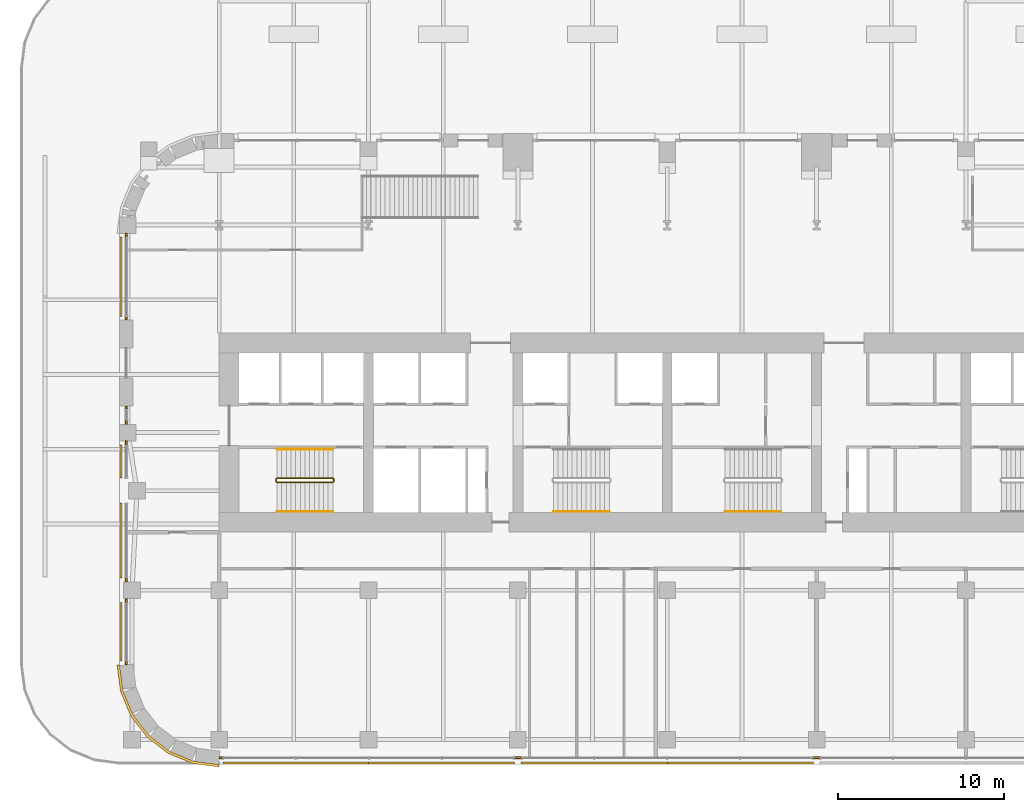
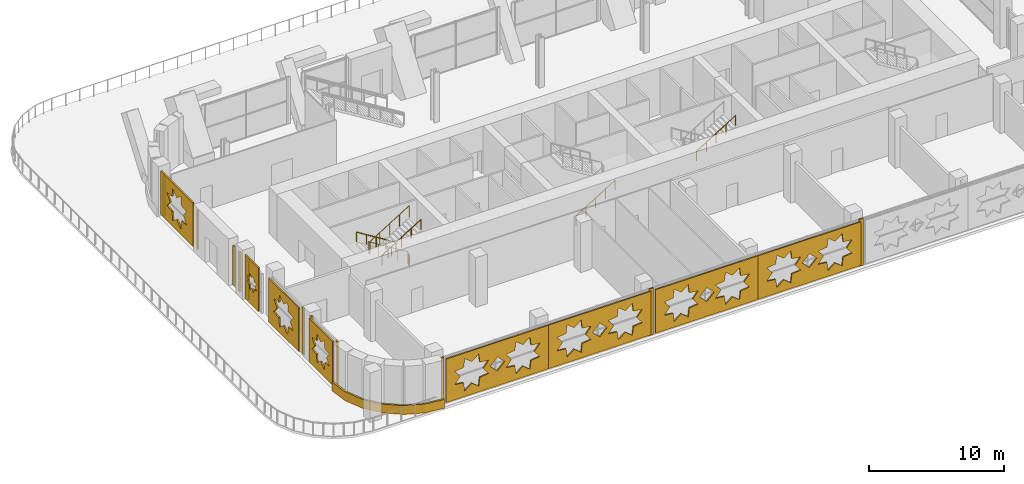
# One storey, part 18 of 26: 20 coverings, 5 railings.
"""IFC4 building model written with IfcOpenShell, lengths in metres."""

from ifc_helpers import new_model, si_unit, direction, frame, origin, origin_2d, place, context, subcontext, project, spatial, polyline, rectangle, circle, outline, extrude, material, layer, layer_set, type_object, element, save


model = new_model("IFC4")

# Units and contexts
model_context = context("Model", 3, precision=1e-05, world=origin(), true_north=direction((0.0, 1.0)))
body_context = subcontext(model_context, "Body", "Model", "MODEL_VIEW")
ifc_project = project(units=[si_unit("LENGTHUNIT", "METRE"), si_unit("AREAUNIT", "SQUARE_METRE"), si_unit("VOLUMEUNIT", "CUBIC_METRE"), si_unit("PLANEANGLEUNIT", "RADIAN"), si_unit("MASSUNIT", "GRAM", prefix="KILO")], contexts=[model_context])

# Site, building, storey
site_placement = place(None, origin())
site = spatial("IfcSite", under=ifc_project, at=site_placement, CompositionType="ELEMENT")
building_placement = place(site_placement, origin())
building = spatial("IfcBuilding", under=site, at=building_placement, Name="Zellij Exchange Tower", CompositionType="ELEMENT")
storey_placement = place(building_placement, frame((0.0, 0.0, 39.0)))
storey = spatial("IfcBuildingStorey", under=building, at=storey_placement, Name="L06", CompositionType="ELEMENT", Elevation=39.0)

# Railings
ifc_material_1 = material(Name="Stainless steel", Category="steel")
railing_type_1 = type_object("IfcRailingType", Name="CORE-RG stair guard", PredefinedType="GUARDRAIL", material=ifc_material_1)
railing_1_placement = place(storey_placement, frame((-20.10009765625, -10.800048828125, 0.0)))
element("IfcRailing", 1, at=railing_1_placement, inside=storey, type_object=railing_type_1, Name="ST1 stair guard L06", PredefinedType="GUARDRAIL", context=body_context, shape_type="SweptSolid", body=[
    extrude(circle(Radius=0.02392578125, at=origin_2d()), frame((0.0, 0.0, 1.076171875), z_axis=(0.0, -1.0, 0.0), x_axis=(1.0, 0.0, 0.0)), (0.0, 0.0, 1.0), 0.14990234375),
    extrude(circle(Radius=0.02392578125, at=origin_2d()), frame((0.0, -0.14990234375, 1.076171875), z_axis=(-0.185068141132, 0.742994154839, 0.643202510111), x_axis=(-0.970351222016, -0.241699205484, 0.0)), (0.0, 0.0, 1.0), 0.26904296875),
    extrude(circle(Radius=0.02392578125, at=origin_2d()), frame((-0.0498046875, 0.050048828125, 1.2490234375), z_axis=(-0.850623216509, 0.0, 0.525775754039), x_axis=(0.0, -1.0, 0.0)), (0.0, 0.0, 1.0), 3.9501953125),
    extrude(circle(Radius=0.02392578125, at=origin_2d()), frame((-3.409912109375, 0.050048828125, 3.326171875), z_axis=(-0.707106781187, -0.707106781187, 0.0), x_axis=(0.707106781187, -0.707106781187, 0.0)), (0.0, 0.0, 1.0), 0.07080078125),
    extrude(circle(Radius=0.02392578125, at=origin_2d()), frame((-3.4599609375, 0.0, 3.326171875), z_axis=(0.0, -1.0, 0.0), x_axis=(1.0, 0.0, 0.0)), (0.0, 0.0, 1.0), 0.14990234375),
    extrude(circle(Radius=0.02392578125, at=origin_2d()), frame((-3.4599609375, -0.14990234375, 3.326171875), z_axis=(0.267629722418, -0.267629722418, 0.925607186314), x_axis=(0.707106781187, 0.707106781187, 0.0)), (0.0, 0.0, 1.0), 0.18701171875),
    extrude(circle(Radius=0.02392578125, at=origin_2d()), frame((-3.409912109375, -0.199951171875, 3.4990234375), z_axis=(0.850623216509, 0.0, 0.525775754039), x_axis=(0.0, 1.0, 0.0)), (0.0, 0.0, 1.0), 3.9501953125),
    extrude(circle(Radius=0.02099609375, at=origin_2d()), origin(), (0.0, 0.0, 1.0), 1.052001953125),
    extrude(circle(Radius=0.02099609375, at=origin_2d()), frame((0.0, -0.14990234375, 0.0)), (0.0, 0.0, 1.0), 1.052001953125),
    extrude(circle(Radius=0.02099609375, at=origin_2d()), frame((-0.0498046875, 0.050048828125, 0.173095703125)), (0.0, 0.0, 1.0), 1.052001953125),
    extrude(circle(Radius=0.02099609375, at=origin_2d()), frame((-0.889892578125, 0.050048828125, 0.6923828125)), (0.0, 0.0, 1.0), 1.052001953125),
    extrude(circle(Radius=0.02099609375, at=origin_2d()), frame((-1.72998046875, 0.050048828125, 1.21142578125)), (0.0, 0.0, 1.0), 1.052001953125),
    extrude(circle(Radius=0.02099609375, at=origin_2d()), frame((-2.56982421875, 0.050048828125, 1.730712890625)), (0.0, 0.0, 1.0), 1.052001953125),
    extrude(circle(Radius=0.02099609375, at=origin_2d()), frame((-3.409912109375, 0.050048828125, 2.25)), (0.0, 0.0, 1.0), 1.052001953125),
    extrude(circle(Radius=0.02099609375, at=origin_2d()), frame((-3.4599609375, 0.0, 2.25)), (0.0, 0.0, 1.0), 1.052001953125),
    extrude(circle(Radius=0.02099609375, at=origin_2d()), frame((-3.4599609375, -0.14990234375, 2.25)), (0.0, 0.0, 1.0), 1.052001953125),
    extrude(circle(Radius=0.02099609375, at=origin_2d()), frame((-3.409912109375, -0.199951171875, 2.423095703125)), (0.0, 0.0, 1.0), 1.052001953125),
    extrude(circle(Radius=0.02099609375, at=origin_2d()), frame((-2.56982421875, -0.199951171875, 2.9423828125)), (0.0, 0.0, 1.0), 1.052001953125),
    extrude(circle(Radius=0.02099609375, at=origin_2d()), frame((-1.72998046875, -0.199951171875, 3.46142578125)), (0.0, 0.0, 1.0), 1.052001953125),
    extrude(circle(Radius=0.02099609375, at=origin_2d()), frame((-0.889892578125, -0.199951171875, 3.980712890625)), (0.0, 0.0, 1.0), 1.052001953125),
    extrude(circle(Radius=0.02099609375, at=origin_2d()), frame((-0.0498046875, -0.199951171875, 4.5)), (0.0, 0.0, 1.0), 1.052001953125),
])
railing_type_2 = type_object("IfcRailingType", Name="CORE-RH stair handrail", PredefinedType="HANDRAIL", material=ifc_material_1)
railing_2_placement = place(storey_placement, frame((-20.14990234375, -9.0, 0.173095703125)))
element("IfcRailing", 2, at=railing_2_placement, inside=storey, type_object=railing_type_2, Name="ST1 stair handrail L06", PredefinedType="HANDRAIL", context=body_context, shape_type="SweptSolid", body=[
    extrude(circle(Radius=0.02392578125, at=origin_2d()), frame((0.0, 0.0, 0.8759765625), z_axis=(-0.850623216509, 0.0, 0.525775754039), x_axis=(0.0, -1.0, 0.0)), (0.0, 0.0, 1.0), 3.9501953125),
    extrude(circle(Radius=0.02099609375, at=origin_2d()), origin(), (0.0, 0.0, 1.0), 0.851806640625),
    extrude(circle(Radius=0.02099609375, at=origin_2d()), frame((-0.840087890625, 0.0, 0.519287109375)), (0.0, 0.0, 1.0), 0.851806640625),
    extrude(circle(Radius=0.02099609375, at=origin_2d()), frame((-1.68017578125, 0.0, 1.03857421875)), (0.0, 0.0, 1.0), 0.851806640625),
    extrude(circle(Radius=0.02099609375, at=origin_2d()), frame((-2.52001953125, 0.0, 1.5576171875)), (0.0, 0.0, 1.0), 0.851806640625),
    extrude(circle(Radius=0.02099609375, at=origin_2d()), frame((-3.360107421875, 0.0, 2.076904296875)), (0.0, 0.0, 1.0), 0.851806640625),
])
for number, where, name in (
    (3, (-23.510009765625, -12.75, 2.423095703125), "ST1 stair handrail L06"),
    (4, (-6.85009765625, -12.75, 0.173095703125), "ST2 stair handrail L06"),
    (5, (3.489990234375, -12.75, 2.423095703125), "ST3 stair handrail L06"),
):
    element("IfcRailing", number, at=place(storey_placement, frame(where)), inside=storey, type_object=railing_type_2, Name=name, PredefinedType="HANDRAIL", context=body_context, shape_type="SweptSolid", body=[
        extrude(circle(Radius=0.02392578125, at=origin_2d()), frame((0.0, 0.0, 0.8759765625), z_axis=(0.850623216509, 0.0, 0.525775754039), x_axis=(0.0, 1.0, 0.0)), (0.0, 0.0, 1.0), 3.9501953125),
        extrude(circle(Radius=0.02099609375, at=origin_2d()), origin(), (0.0, 0.0, 1.0), 0.851806640625),
        extrude(circle(Radius=0.02099609375, at=origin_2d()), frame((0.840087890625, 0.0, 0.519287109375)), (0.0, 0.0, 1.0), 0.851806640625),
        extrude(circle(Radius=0.02099609375, at=origin_2d()), frame((1.68017578125, 0.0, 1.03857421875)), (0.0, 0.0, 1.0), 0.851806640625),
        extrude(circle(Radius=0.02099609375, at=origin_2d()), frame((2.52001953125, 0.0, 1.5576171875)), (0.0, 0.0, 1.0), 0.851806640625),
        extrude(circle(Radius=0.02099609375, at=origin_2d()), frame((3.360107421875, 0.0, 2.076904296875)), (0.0, 0.0, 1.0), 0.851806640625),
    ])

# Coverings
ifc_material_2 = material(Name="Limestone cladding", Category="masonry")
ifc_layer_1 = layer(ifc_material_2, 0.14990234375)
ifc_layer_set_1 = layer_set([ifc_layer_1], Name="Limestone cladding")
covering_type_1 = type_object("IfcCoveringType", Name="ENV-CV1 Stone spandrel band 150", PredefinedType="CLADDING", material=ifc_layer_set_1)
covering_1_placement = place(storey_placement, origin())
element("IfcCovering", 6, at=covering_1_placement, inside=storey, type_object=covering_type_1, Name="Stone spandrel band", PredefinedType="CLADDING", context=body_context, shape_type="SweptSolid", body=[
    extrude(outline(polyline([(-33.0, -22.0), (-32.795654296875, -23.552978515625), (-32.1962890625, -25.0), (-31.24267578125, -26.24267578125), (-30.0, -27.1962890625), (-28.552978515625, -27.795654296875), (-27.0, -28.0), (-27.009765625, -28.14990234375), (-28.592041015625, -27.941650390625), (-30.07568359375, -27.3271484375), (-31.349609375, -26.349609375), (-32.3271484375, -25.07568359375), (-32.941650390625, -23.592041015625), (-33.14990234375, -22.009765625), (-33.0, -22.0)])), origin(), (0.0, 0.0, 1.0), 0.800048828125),
])
ifc_layer_2 = layer(ifc_material_2, 0.1201171875)
ifc_layer_set_2 = layer_set([ifc_layer_2], Name="Limestone cladding")
covering_type_2 = type_object("IfcCoveringType", Name="ENV-CV18 Glazing closer 120", PredefinedType="CLADDING", material=ifc_layer_set_2)
for number, where, z_axis, x_axis, name in (
    (7, (9.0, -27.60009765625, 0.0), (0.0, 0.0, 1.0), (1.0, 0.0, 0.0), "Glazing closer"),
    (8, (-9.0, -27.60009765625, 0.0), (0.0, 0.0, 1.0), (1.0, 0.0, 0.0), "Glazing closer"),
):
    element("IfcCovering", number, at=place(storey_placement, frame(where, z_axis=z_axis, x_axis=x_axis)), inside=storey, type_object=covering_type_2, Name=name, PredefinedType="CLADDING", context=body_context, shape_type="SweptSolid", body=[
        extrude(rectangle(XDim=0.39990234375, YDim=0.1201171875, at=origin_2d()), origin(), (0.0, 0.0, 1.0), 4.25),
    ])
for number, where, z_axis, x_axis, name in (
    (9, (-32.60009765625, -7.375, 0.0), (0.0, 0.0, 1.0), (0.0, -1.0, 0.0), "Glazing closer"),
    (10, (-32.60009765625, -8.625, 0.0), (0.0, 0.0, 1.0), (0.0, 1.0, 0.0), "Glazing closer"),
):
    element("IfcCovering", number, at=place(storey_placement, frame(where, z_axis=z_axis, x_axis=x_axis)), inside=storey, type_object=covering_type_2, Name=name, PredefinedType="CLADDING", context=body_context, shape_type="SweptSolid", body=[
        extrude(rectangle(XDim=0.25, YDim=0.1201171875, at=origin_2d()), origin(), (0.0, 0.0, 1.0), 3.561767578125),
    ])
for number, where, z_axis, x_axis, name in (
    (11, (-32.60009765625, -16.875, 0.0), (0.0, 0.0, 1.0), (0.0, -1.0, 0.0), "Glazing closer"),
    (12, (-32.60009765625, -18.125, 0.0), (0.0, 0.0, 1.0), (0.0, 1.0, 0.0), "Glazing closer"),
):
    element("IfcCovering", number, at=place(storey_placement, frame(where, z_axis=z_axis, x_axis=x_axis)), inside=storey, type_object=covering_type_2, Name=name, PredefinedType="CLADDING", context=body_context, shape_type="SweptSolid", body=[
        extrude(rectangle(XDim=0.25, YDim=0.1201171875, at=origin_2d()), origin(), (0.0, 0.0, 1.0), 4.25),
    ])
covering_2_placement = place(storey_placement, frame((-32.60009765625, 3.886962890625, 0.0), z_axis=(0.0, 0.0, 1.0), x_axis=(0.0, 1.0, 0.0)))
element("IfcCovering", 13, at=covering_2_placement, inside=storey, type_object=covering_type_2, Name="Glazing closer", PredefinedType="CLADDING", context=body_context, shape_type="SweptSolid", body=[
    extrude(rectangle(XDim=0.226318359375, YDim=0.1201171875, at=origin_2d()), origin(), (0.0, 0.0, 1.0), 3.561767578125),
])
for number, where, z_axis, x_axis, name in (
    (14, (-26.883056640625, -27.60009765625, 0.0), (0.0, 0.0, 1.0), (-1.0, 0.0, 0.0), "Glazing closer"),
    (15, (-32.60009765625, -21.883056640625, 0.0), (0.0, 0.0, 1.0), (0.0, -1.0, 0.0), "Glazing closer"),
):
    element("IfcCovering", number, at=place(storey_placement, frame(where, z_axis=z_axis, x_axis=x_axis)), inside=storey, type_object=covering_type_2, Name=name, PredefinedType="CLADDING", context=body_context, shape_type="SweptSolid", body=[
        extrude(rectangle(XDim=0.218505859375, YDim=0.1201171875, at=origin_2d()), origin(), (0.0, 0.0, 1.0), 4.25),
    ])
for number, where, z_axis, x_axis, name in (
    (16, (-32.60009765625, -1.11572265625, 0.0), (0.0, 0.0, 1.0), (0.0, -1.0, 0.0), "Glazing closer"),
    (17, (-32.60009765625, -6.505126953125, 0.0), (0.0, 0.0, 1.0), (0.0, 1.0, 0.0), "Glazing closer"),
):
    element("IfcCovering", number, at=place(storey_placement, frame(where, z_axis=z_axis, x_axis=x_axis)), inside=storey, type_object=covering_type_2, Name=name, PredefinedType="CLADDING", context=body_context, shape_type="SweptSolid", body=[
        extrude(rectangle(XDim=0.199951171875, YDim=0.1201171875, at=origin_2d()), origin(), (0.0, 0.0, 1.0), 3.561767578125),
    ])
ifc_material_3 = material(Name="Limestone screen", Category="masonry")
ifc_layer_3 = layer(ifc_material_3, 0.1201171875)
ifc_layer_set_3 = layer_set([ifc_layer_3], Name="Limestone screen")
covering_type_3 = type_object("IfcCoveringType", Name="ENV-SC1 Pierced stone screen 120", PredefinedType="USERDEFINED", material=ifc_layer_set_3)
covering_3_placement = place(storey_placement, frame((-26.773681640625, -27.89990234375, 0.300048828125), z_axis=(0.0, 0.0, 1.0), x_axis=(1.0, 0.0, 0.0)))
element("IfcCovering", 18, at=covering_3_placement, inside=storey, type_object=covering_type_3, Name="Pierced stone screen", ObjectType="SCREEN", PredefinedType="USERDEFINED", context=body_context, shape_type="SweptSolid", body=[
    extrude(outline(polyline([(0.0, 0.0), (8.786865234375, 0.0), (8.786865234375, 3.949951171875), (0.0, 3.949951171875), (0.0, 0.0)]), holes=[polyline([(3.656494140625, 2.57958984375), (2.889404296875, 2.667724609375), (2.801513671875, 3.434814453125), (2.19677734375, 2.95458984375), (1.592041015625, 3.434814453125), (1.50390625, 2.667724609375), (0.737060546875, 2.57958984375), (1.217041015625, 1.97509765625), (0.737060546875, 1.370361328125), (1.50390625, 1.2822265625), (1.592041015625, 0.515380859375), (2.19677734375, 0.995361328125), (2.801513671875, 0.515380859375), (2.889404296875, 1.2822265625), (3.656494140625, 1.370361328125), (3.17626953125, 1.97509765625), (3.656494140625, 2.57958984375)]), polyline([(8.0498046875, 2.57958984375), (7.282958984375, 2.667724609375), (7.19482421875, 3.434814453125), (6.590087890625, 2.95458984375), (5.985595703125, 3.434814453125), (5.8974609375, 2.667724609375), (5.13037109375, 2.57958984375), (5.610595703125, 1.97509765625), (5.13037109375, 1.370361328125), (5.8974609375, 1.2822265625), (5.985595703125, 0.515380859375), (6.590087890625, 0.995361328125), (7.19482421875, 0.515380859375), (7.282958984375, 1.2822265625), (8.0498046875, 1.370361328125), (7.56982421875, 1.97509765625), (8.0498046875, 2.57958984375)]), polyline([(5.025390625, 1.97509765625), (4.393310546875, 2.60693359375), (3.761474609375, 1.97509765625), (4.393310546875, 1.343017578125), (5.025390625, 1.97509765625)])]), frame((0.0, 0.06005859375, 0.0), z_axis=(0.0, -1.0, 0.0), x_axis=(1.0, 0.0, 0.0)), (0.0, 0.0, 1.0), 0.1201171875),
])
covering_4_placement = place(storey_placement, frame((-17.98681640625, -27.89990234375, 0.300048828125), z_axis=(0.0, 0.0, 1.0), x_axis=(1.0, 0.0, 0.0)))
element("IfcCovering", 19, at=covering_4_placement, inside=storey, type_object=covering_type_3, Name="Pierced stone screen", ObjectType="SCREEN", PredefinedType="USERDEFINED", context=body_context, shape_type="SweptSolid", body=[
    extrude(outline(polyline([(0.0, 0.0), (8.786865234375, 0.0), (8.786865234375, 3.949951171875), (0.0, 3.949951171875), (0.0, 0.0)]), holes=[polyline([(3.656494140625, 2.57958984375), (2.889404296875, 2.667724609375), (2.801513671875, 3.434814453125), (2.19677734375, 2.95458984375), (1.592041015625, 3.434814453125), (1.50390625, 2.667724609375), (0.737060546875, 2.57958984375), (1.217041015625, 1.97509765625), (0.737060546875, 1.370361328125), (1.50390625, 1.2822265625), (1.592041015625, 0.515380859375), (2.19677734375, 0.995361328125), (2.801513671875, 0.515380859375), (2.889404296875, 1.2822265625), (3.656494140625, 1.370361328125), (3.17626953125, 1.97509765625), (3.656494140625, 2.57958984375)]), polyline([(8.0498046875, 2.57958984375), (7.282958984375, 2.667724609375), (7.19482421875, 3.434814453125), (6.590087890625, 2.95458984375), (5.985595703125, 3.434814453125), (5.8974609375, 2.667724609375), (5.13037109375, 2.57958984375), (5.610595703125, 1.97509765625), (5.13037109375, 1.370361328125), (5.8974609375, 1.2822265625), (5.985595703125, 0.515380859375), (6.590087890625, 0.995361328125), (7.19482421875, 0.515380859375), (7.282958984375, 1.2822265625), (8.0498046875, 1.370361328125), (7.56982421875, 1.97509765625), (8.0498046875, 2.57958984375)]), polyline([(5.025390625, 1.97509765625), (4.3935546875, 2.60693359375), (3.761474609375, 1.97509765625), (4.3935546875, 1.343017578125), (5.025390625, 1.97509765625)])]), frame((0.0, 0.06005859375, 0.0), z_axis=(0.0, -1.0, 0.0), x_axis=(1.0, 0.0, 0.0)), (0.0, 0.0, 1.0), 0.1201171875),
])
for number, where, z_axis, x_axis, name in (
    (20, (-8.800048828125, -27.89990234375, 0.300048828125), (0.0, 0.0, 1.0), (1.0, 0.0, 0.0), "Pierced stone screen"),
    (21, (0.0, -27.89990234375, 0.300048828125), (0.0, 0.0, 1.0), (1.0, 0.0, 0.0), "Pierced stone screen"),
):
    element("IfcCovering", number, at=place(storey_placement, frame(where, z_axis=z_axis, x_axis=x_axis)), inside=storey, type_object=covering_type_3, Name=name, ObjectType="SCREEN", PredefinedType="USERDEFINED", context=body_context, shape_type="SweptSolid", body=[
        extrude(outline(polyline([(0.0, 0.0), (8.800048828125, 0.0), (8.800048828125, 3.949951171875), (0.0, 3.949951171875), (0.0, 0.0)]), holes=[polyline([(3.65966796875, 2.57958984375), (2.892578125, 2.667724609375), (2.8046875, 3.434814453125), (2.199951171875, 2.95458984375), (1.595458984375, 3.434814453125), (1.50732421875, 2.667724609375), (0.740234375, 2.57958984375), (1.220458984375, 1.97509765625), (0.740234375, 1.370361328125), (1.50732421875, 1.2822265625), (1.595458984375, 0.515380859375), (2.199951171875, 0.995361328125), (2.8046875, 0.515380859375), (2.892578125, 1.2822265625), (3.65966796875, 1.370361328125), (3.1796875, 1.97509765625), (3.65966796875, 2.57958984375)]), polyline([(8.059814453125, 2.57958984375), (7.292724609375, 2.667724609375), (7.20458984375, 3.434814453125), (6.60009765625, 2.95458984375), (5.995361328125, 3.434814453125), (5.9072265625, 2.667724609375), (5.140380859375, 2.57958984375), (5.620361328125, 1.97509765625), (5.140380859375, 1.370361328125), (5.9072265625, 1.2822265625), (5.995361328125, 0.515380859375), (6.60009765625, 0.995361328125), (7.20458984375, 0.515380859375), (7.292724609375, 1.2822265625), (8.059814453125, 1.370361328125), (7.57958984375, 1.97509765625), (8.059814453125, 2.57958984375)]), polyline([(5.031982421875, 1.97509765625), (4.39990234375, 2.60693359375), (3.76806640625, 1.97509765625), (4.39990234375, 1.343017578125), (5.031982421875, 1.97509765625)])]), frame((0.0, 0.06005859375, 0.0), z_axis=(0.0, -1.0, 0.0), x_axis=(1.0, 0.0, 0.0)), (0.0, 0.0, 1.0), 0.1201171875),
    ])
covering_5_placement = place(storey_placement, frame((-32.89990234375, 3.773681640625, 0.300048828125), z_axis=(0.0, 0.0, 1.0), x_axis=(0.0, -1.0, 0.0)))
element("IfcCovering", 22, at=covering_5_placement, inside=storey, type_object=covering_type_3, Name="Pierced stone screen", ObjectType="SCREEN", PredefinedType="USERDEFINED", context=body_context, shape_type="SweptSolid", body=[
    extrude(outline(polyline([(0.0, 0.0), (4.78955078125, 0.0), (4.78955078125, 3.949951171875), (0.0, 3.949951171875), (0.0, 0.0)]), holes=[polyline([(3.8544921875, 2.57958984375), (3.08740234375, 2.667724609375), (2.99951171875, 3.434814453125), (2.394775390625, 2.95458984375), (1.7900390625, 3.434814453125), (1.7021484375, 2.667724609375), (0.93505859375, 2.57958984375), (1.4150390625, 1.97509765625), (0.93505859375, 1.370361328125), (1.7021484375, 1.2822265625), (1.7900390625, 0.515380859375), (2.394775390625, 0.995361328125), (2.99951171875, 0.515380859375), (3.08740234375, 1.2822265625), (3.8544921875, 1.370361328125), (3.37451171875, 1.97509765625), (3.8544921875, 2.57958984375)])]), frame((0.0, 0.06005859375, 0.0), z_axis=(0.0, -1.0, 0.0), x_axis=(1.0, 0.0, 0.0)), (0.0, 0.0, 1.0), 0.1201171875),
])
covering_6_placement = place(storey_placement, frame((-32.89990234375, -8.75, 0.300048828125), z_axis=(0.0, 0.0, 1.0), x_axis=(0.0, -1.0, 0.0)))
element("IfcCovering", 23, at=covering_6_placement, inside=storey, type_object=covering_type_3, Name="Pierced stone screen", ObjectType="SCREEN", PredefinedType="USERDEFINED", context=body_context, shape_type="SweptSolid", body=[
    extrude(outline(polyline([(0.0, 0.0), (2.0, 0.0), (2.0, 3.949951171875), (0.0, 3.949951171875), (0.0, 0.0)]), holes=[polyline([(1.739013671875, 2.281005859375), (1.3505859375, 2.32568359375), (1.30615234375, 2.714111328125), (1.0, 2.470947265625), (0.69384765625, 2.714111328125), (0.6494140625, 2.32568359375), (0.260986328125, 2.281005859375), (0.50390625, 1.97509765625), (0.260986328125, 1.6689453125), (0.6494140625, 1.624267578125), (0.69384765625, 1.23583984375), (1.0, 1.47900390625), (1.30615234375, 1.23583984375), (1.3505859375, 1.624267578125), (1.739013671875, 1.6689453125), (1.49609375, 1.97509765625), (1.739013671875, 2.281005859375)])]), frame((0.0, 0.06005859375, 0.0), z_axis=(0.0, -1.0, 0.0), x_axis=(1.0, 0.0, 0.0)), (0.0, 0.0, 1.0), 0.1201171875),
])
covering_7_placement = place(storey_placement, frame((-32.89990234375, -12.25, 0.300048828125), z_axis=(0.0, 0.0, 1.0), x_axis=(0.0, -1.0, 0.0)))
element("IfcCovering", 24, at=covering_7_placement, inside=storey, type_object=covering_type_3, Name="Pierced stone screen", ObjectType="SCREEN", PredefinedType="USERDEFINED", context=body_context, shape_type="SweptSolid", body=[
    extrude(outline(polyline([(0.0, 0.0), (4.5, 0.0), (4.5, 3.949951171875), (0.0, 3.949951171875), (0.0, 0.0)]), holes=[polyline([(3.709716796875, 2.57958984375), (2.942626953125, 2.667724609375), (2.8544921875, 3.434814453125), (2.25, 2.95458984375), (1.6455078125, 3.434814453125), (1.557373046875, 2.667724609375), (0.790283203125, 2.57958984375), (1.2705078125, 1.97509765625), (0.790283203125, 1.370361328125), (1.557373046875, 1.2822265625), (1.6455078125, 0.515380859375), (2.25, 0.995361328125), (2.8544921875, 0.515380859375), (2.942626953125, 1.2822265625), (3.709716796875, 1.370361328125), (3.2294921875, 1.97509765625), (3.709716796875, 2.57958984375)])]), frame((0.0, 0.06005859375, 0.0), z_axis=(0.0, -1.0, 0.0), x_axis=(1.0, 0.0, 0.0)), (0.0, 0.0, 1.0), 0.1201171875),
])
covering_8_placement = place(storey_placement, frame((-32.89990234375, -18.25, 0.300048828125), z_axis=(0.0, 0.0, 1.0), x_axis=(0.0, -1.0, 0.0)))
element("IfcCovering", 25, at=covering_8_placement, inside=storey, type_object=covering_type_3, Name="Pierced stone screen", ObjectType="SCREEN", PredefinedType="USERDEFINED", context=body_context, shape_type="SweptSolid", body=[
    extrude(outline(polyline([(0.0, 0.0), (3.523681640625, 0.0), (3.523681640625, 3.949951171875), (0.0, 3.949951171875), (0.0, 0.0)]), holes=[polyline([(3.064208984375, 2.514404296875), (2.3798828125, 2.593017578125), (2.30126953125, 3.277099609375), (1.761962890625, 2.848876953125), (1.222412109375, 3.277099609375), (1.14404296875, 2.593017578125), (0.459716796875, 2.514404296875), (0.887939453125, 1.97509765625), (0.459716796875, 1.435546875), (1.14404296875, 1.357177734375), (1.222412109375, 0.6728515625), (1.761962890625, 1.10107421875), (2.30126953125, 0.6728515625), (2.3798828125, 1.357177734375), (3.064208984375, 1.435546875), (2.6357421875, 1.97509765625), (3.064208984375, 2.514404296875)])]), frame((0.0, 0.06005859375, 0.0), z_axis=(0.0, -1.0, 0.0), x_axis=(1.0, 0.0, 0.0)), (0.0, 0.0, 1.0), 0.1201171875),
])

save(model, "model.ifc")
